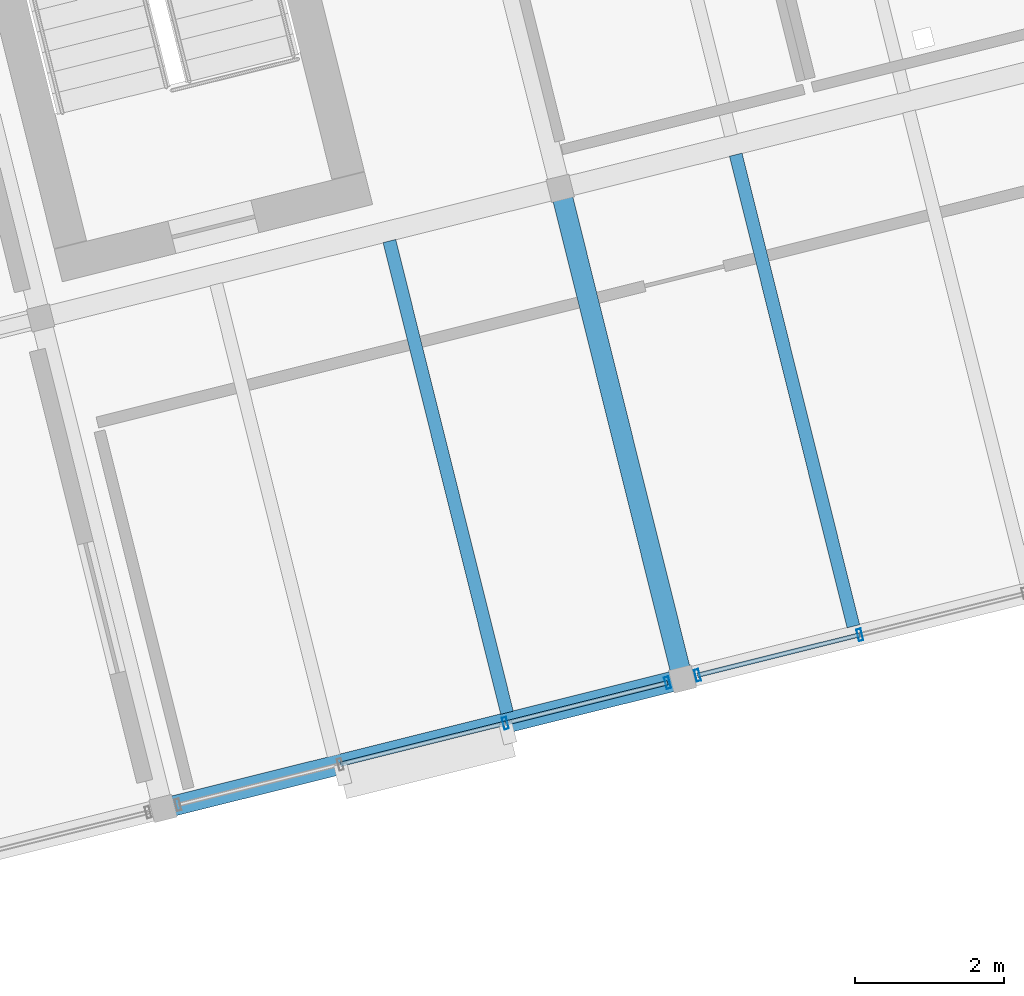
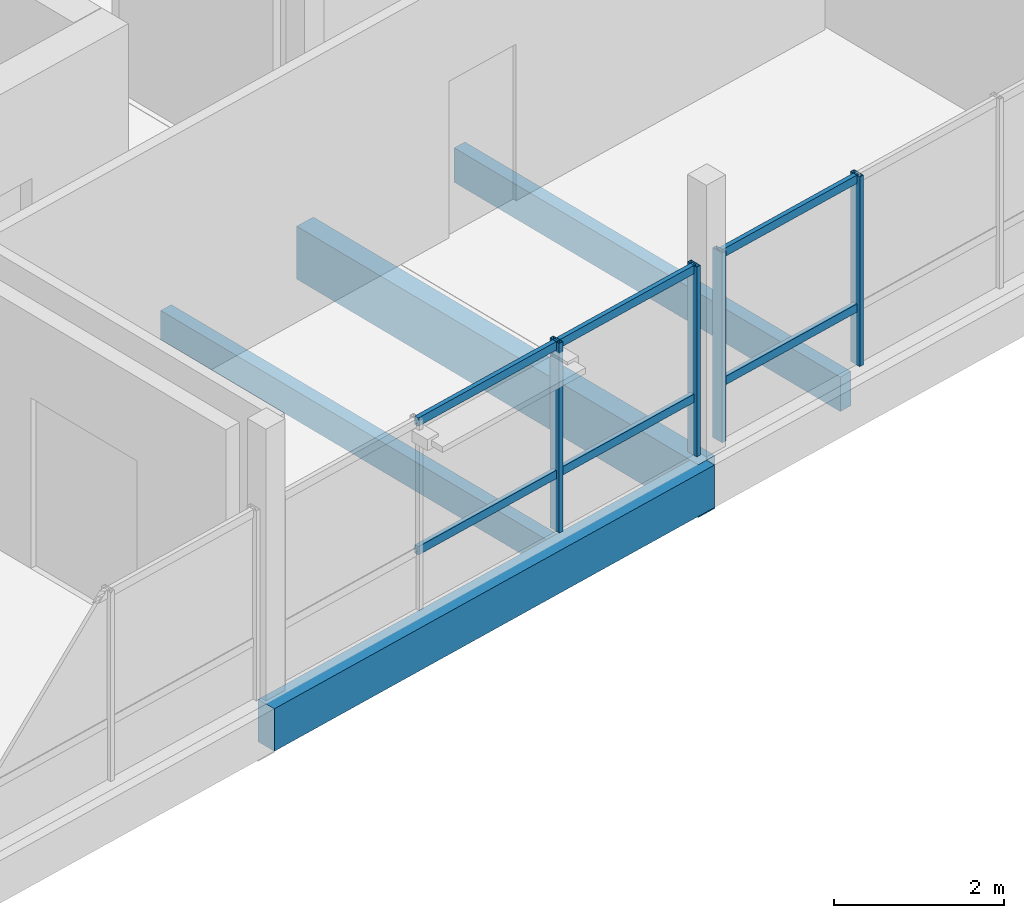
# One storey, part 6 of 24: 10 members, 4 beams, 2 elements without a shape of their own.
"""IFC4 building model written with IfcOpenShell, lengths in metres."""

from ifc_helpers import new_model, si_unit, direction, frame, origin, origin_2d, place, context, subcontext, project, spatial, rectangle, hollow_rectangle, extrude, material, layer, layer_set, material_profile, profile_set, type_object, element, aggregate, save


model = new_model("IFC4")

# Units and contexts
model_context = context("Model", 3, precision=1e-05, world=origin(), true_north=direction((0.0, 1.0)))
body_context = subcontext(model_context, "Body", "Model", "MODEL_VIEW")
ifc_project = project(units=[si_unit("LENGTHUNIT", "METRE"), si_unit("AREAUNIT", "SQUARE_METRE"), si_unit("VOLUMEUNIT", "CUBIC_METRE"), si_unit("PLANEANGLEUNIT", "RADIAN"), si_unit("MASSUNIT", "GRAM", prefix="KILO")], contexts=[model_context])

# Site, building, storey
site_placement = place(None, origin())
site = spatial("IfcSite", under=ifc_project, at=site_placement, CompositionType="ELEMENT")
building_placement = place(site_placement, origin())
building = spatial("IfcBuilding", under=site, at=building_placement, Name="Meriwether Solvik Hall", CompositionType="ELEMENT")
storey_placement = place(building_placement, frame((0.0, 0.0, 57.300048828125)))
storey = spatial("IfcBuildingStorey", under=building, at=storey_placement, Name="L14", CompositionType="ELEMENT", Elevation=57.300048828125)

# Beams
ifc_material_1 = material(Name="Glulam Douglas-Fir 24F-V8 GL28h", Category="wood")
ifc_material_profile_1 = material_profile(ifc_material_1, rectangle(XDim=0.27294921875, YDim=0.610107421875, at=origin_2d()), Name="GLB-273X610")
ifc_profile_set_1 = profile_set([ifc_material_profile_1], Name="Glulam Douglas-Fir 24F-V8 GL28h")
beam_type_1 = type_object("IfcBeamType", Name="BM-GL-273X610", PredefinedType="SPANDREL", material=ifc_profile_set_1)
beam_1_placement = place(storey_placement, frame((75.974365234375, 43.03857421875, -0.505126953125), z_axis=(0.970291911955, 0.241937193493, 0.0), x_axis=(-0.241937193493, 0.970291911955, 0.0)))
element("IfcBeam", 1, at=beam_1_placement, inside=storey, type_object=beam_type_1, Name="Tower Girder TA:T2-T3 (L14)", PredefinedType="SPANDREL", context=body_context, shape_type="SweptSolid", body=[
    extrude(rectangle(XDim=0.27294921875, YDim=0.610107421875, at=origin_2d()), origin(), (0.0, 0.0, 1.0), 7.199951171875),
])
ifc_material_2 = material(Name="Glulam Douglas-Fir 24F-V8 GL28h", Category="wood")
ifc_material_profile_2 = material_profile(ifc_material_2, rectangle(XDim=0.27294921875, YDim=0.760009765625, at=origin_2d()), Name="GLB-273X760")
ifc_profile_set_2 = profile_set([ifc_material_profile_2], Name="Glulam Douglas-Fir 24F-V8 GL28h")
beam_type_2 = type_object("IfcBeamType", Name="BM-GL-273X760", PredefinedType="BEAM", material=ifc_profile_set_2)
beam_2_placement = place(storey_placement, frame((82.96044921875, 44.780517578125, -0.580078125), z_axis=(-0.241918877831, 0.970296478685, 0.0), x_axis=(-0.970296478685, -0.241918877831, 0.0)))
element("IfcBeam", 2, at=beam_2_placement, inside=storey, type_object=beam_type_2, Name="Tower Girder T3:TA-TB (L14)", PredefinedType="BEAM", context=body_context, shape_type="SweptSolid", body=[
    extrude(rectangle(XDim=0.27294921875, YDim=0.760009765625, at=origin_2d()), origin(), (0.0, 0.0, 1.0), 6.7998046875),
])

# Curtain wall, members
ifc_material_3 = material(Name="Thermally Broken Anodised Aluminium 6063-T6 and Low-E Glass", Category="aluminium")
ifc_layer_1 = layer(ifc_material_3, 0.179931640625)
ifc_layer_set_1 = layer_set([ifc_layer_1], Name="Thermally Broken Anodised Aluminium 6063-T6 and Low-E Glass")
curtain_wall_type_1 = type_object("IfcCurtainWallType", Name="CW-UNIT-F", PredefinedType="USERDEFINED", material=ifc_layer_set_1)
curtain_wall_1_placement = place(storey_placement, origin())
curtain_wall_1 = element("IfcCurtainWall", 3, at=curtain_wall_1_placement, inside=storey, type_object=curtain_wall_type_1, Name="Curtain Wall E0_B1 (L14)", ObjectType="UNITISED CURTAIN WALL", PredefinedType="USERDEFINED")
ifc_material_4 = material(Name="Anodised Aluminium 6063-T6", Category="aluminium")
ifc_material_profile_3 = material_profile(ifc_material_4, hollow_rectangle(XDim=0.06005859375, YDim=0.159912109375, WallThickness=0.00390625, at=origin_2d()), Name="CWM-60X160")
ifc_profile_set_3 = profile_set([ifc_material_profile_3], Name="Anodised Aluminium 6063-T6")
member_type_1 = type_object("IfcMemberType", Name="CW-MUL-60X160", PredefinedType="MULLION", material=ifc_profile_set_3)
member_1_placement = place(storey_placement, frame((82.759033203125, 44.730224609375, 0.0), z_axis=(0.0, 0.0, 1.0), x_axis=(-0.970295730764, -0.241921877598, 0.0)))
member_1 = element("IfcMember", 4, at=member_1_placement, type_object=member_type_1, Name="Curtain Wall Mullion 1", PredefinedType="MULLION", context=body_context, shape_type="SweptSolid", body=[
    extrude(hollow_rectangle(XDim=0.06005859375, YDim=0.159912109375, WallThickness=0.00390625, at=origin_2d()), origin(), (0.0, 0.0, 1.0), 2.724853515625),
])
member_2_placement = place(storey_placement, frame((80.576904296875, 44.186279296875, 0.0), z_axis=(0.0, 0.0, 1.0), x_axis=(-0.970295730764, -0.241921877598, 0.0)))
member_2 = element("IfcMember", 5, at=member_2_placement, type_object=member_type_1, Name="Curtain Wall Mullion 2", PredefinedType="MULLION", context=body_context, shape_type="SweptSolid", body=[
    extrude(hollow_rectangle(XDim=0.06005859375, YDim=0.159912109375, WallThickness=0.00390625, at=origin_2d()), origin(), (0.0, 0.0, 1.0), 2.724853515625),
])

ifc_material_5 = material(Name="Thermally Broken Anodised Aluminium 6063-T6 and Low-E Glass", Category="aluminium")
ifc_layer_2 = layer(ifc_material_5, 0.179931640625)
ifc_layer_set_2 = layer_set([ifc_layer_2], Name="Thermally Broken Anodised Aluminium 6063-T6 and Low-E Glass")
curtain_wall_type_2 = type_object("IfcCurtainWallType", Name="CW-UNIT-G", PredefinedType="USERDEFINED", material=ifc_layer_set_2)
curtain_wall_2_placement = place(storey_placement, origin())
curtain_wall_2 = element("IfcCurtainWall", 6, at=curtain_wall_2_placement, inside=storey, type_object=curtain_wall_type_2, Name="Curtain Wall E0_B2 (L14)", ObjectType="UNITISED CURTAIN WALL", PredefinedType="USERDEFINED")
member_3_placement = place(storey_placement, frame((85.343994140625, 45.374755859375, 0.0), z_axis=(0.0, 0.0, 1.0), x_axis=(-0.970295730764, -0.241921877598, 0.0)))
member_3 = element("IfcMember", 7, at=member_3_placement, type_object=member_type_1, Name="Curtain Wall Mullion 3", PredefinedType="MULLION", context=body_context, shape_type="SweptSolid", body=[
    extrude(hollow_rectangle(XDim=0.06005859375, YDim=0.159912109375, WallThickness=0.00390625, at=origin_2d()), origin(), (0.0, 0.0, 1.0), 2.724853515625),
])
member_4_placement = place(storey_placement, frame((83.16162109375, 44.83056640625, 0.0), z_axis=(0.0, 0.0, 1.0), x_axis=(-0.970295730764, -0.241921877598, 0.0)))
member_4 = element("IfcMember", 8, at=member_4_placement, type_object=member_type_1, Name="Curtain Wall Mullion 4", PredefinedType="MULLION", context=body_context, shape_type="SweptSolid", body=[
    extrude(hollow_rectangle(XDim=0.06005859375, YDim=0.159912109375, WallThickness=0.00390625, at=origin_2d()), origin(), (0.0, 0.0, 1.0), 2.724853515625),
])

# Member
ifc_material_6 = material(Name="Anodised Aluminium 6063-T6", Category="aluminium")
ifc_material_profile_4 = material_profile(ifc_material_6, hollow_rectangle(XDim=0.06005859375, YDim=0.1201171875, WallThickness=0.00390625, at=origin_2d()), Name="CWT-60X120")
ifc_profile_set_4 = profile_set([ifc_material_profile_4], Name="Anodised Aluminium 6063-T6")
member_type_2 = type_object("IfcMemberType", Name="CW-TRN-60X120", PredefinedType="USERDEFINED", material=ifc_profile_set_4)
member_5_placement = place(storey_placement, frame((82.759033203125, 44.730224609375, 0.8173828125), z_axis=(-0.970308305597, -0.241871437108, 0.0), x_axis=(0.241871437108, -0.970308305597, 0.0)))
member_5 = element("IfcMember", 9, at=member_5_placement, type_object=member_type_2, Name="Curtain Wall Transom 1-sill", ObjectType="TRANSOM", PredefinedType="USERDEFINED", context=body_context, shape_type="SweptSolid", body=[
    extrude(hollow_rectangle(XDim=0.06005859375, YDim=0.1201171875, WallThickness=0.00390625, at=origin_2d()), origin(), (0.0, 0.0, 1.0), 2.2490234375),
])

member_6_placement = place(storey_placement, frame((82.759033203125, 44.730224609375, 2.6650390625), z_axis=(-0.970308305597, -0.241871437108, 0.0), x_axis=(0.241871437108, -0.970308305597, 0.0)))
member_6 = element("IfcMember", 10, at=member_6_placement, type_object=member_type_2, Name="Curtain Wall Transom 1-head", ObjectType="TRANSOM", PredefinedType="USERDEFINED", context=body_context, shape_type="SweptSolid", body=[
    extrude(hollow_rectangle(XDim=0.06005859375, YDim=0.1201171875, WallThickness=0.00390625, at=origin_2d()), origin(), (0.0, 0.0, 1.0), 2.2490234375),
])

member_7_placement = place(storey_placement, frame((80.576904296875, 44.186279296875, 0.8173828125), z_axis=(-0.970280478888, -0.241983041324, 0.0), x_axis=(0.241983041324, -0.970280478888, 0.0)))
member_7 = element("IfcMember", 11, at=member_7_placement, type_object=member_type_2, Name="Curtain Wall Transom 2-sill", ObjectType="TRANSOM", PredefinedType="USERDEFINED", context=body_context, shape_type="SweptSolid", body=[
    extrude(hollow_rectangle(XDim=0.06005859375, YDim=0.1201171875, WallThickness=0.00390625, at=origin_2d()), origin(), (0.0, 0.0, 1.0), 2.287109375),
])

member_8_placement = place(storey_placement, frame((80.576904296875, 44.186279296875, 2.6650390625), z_axis=(-0.970280478888, -0.241983041324, 0.0), x_axis=(0.241983041324, -0.970280478888, 0.0)))
member_8 = element("IfcMember", 12, at=member_8_placement, type_object=member_type_2, Name="Curtain Wall Transom 2-head", ObjectType="TRANSOM", PredefinedType="USERDEFINED", context=body_context, shape_type="SweptSolid", body=[
    extrude(hollow_rectangle(XDim=0.06005859375, YDim=0.1201171875, WallThickness=0.00390625, at=origin_2d()), origin(), (0.0, 0.0, 1.0), 2.287109375),
])

aggregate(curtain_wall_1, [member_1, member_2, member_5, member_6, member_7, member_8])

member_9_placement = place(storey_placement, frame((85.343994140625, 45.374755859375, 0.8173828125), z_axis=(-0.970289178123, -0.241948157292, 0.0), x_axis=(0.241948157292, -0.970289178123, 0.0)))
member_9 = element("IfcMember", 13, at=member_9_placement, type_object=member_type_2, Name="Curtain Wall Transom 3-sill", ObjectType="TRANSOM", PredefinedType="USERDEFINED", context=body_context, shape_type="SweptSolid", body=[
    extrude(hollow_rectangle(XDim=0.06005859375, YDim=0.1201171875, WallThickness=0.00390625, at=origin_2d()), origin(), (0.0, 0.0, 1.0), 2.249267578125),
])

member_10_placement = place(storey_placement, frame((85.343994140625, 45.374755859375, 2.6650390625), z_axis=(-0.970289178123, -0.241948157292, 0.0), x_axis=(0.241948157292, -0.970289178123, 0.0)))
member_10 = element("IfcMember", 14, at=member_10_placement, type_object=member_type_2, Name="Curtain Wall Transom 3-head", ObjectType="TRANSOM", PredefinedType="USERDEFINED", context=body_context, shape_type="SweptSolid", body=[
    extrude(hollow_rectangle(XDim=0.06005859375, YDim=0.1201171875, WallThickness=0.00390625, at=origin_2d()), origin(), (0.0, 0.0, 1.0), 2.249267578125),
])

aggregate(curtain_wall_2, [member_3, member_4, member_9, member_10])

# Beams
ifc_material_7 = material(Name="Glulam Douglas-Fir 24F-V8 GL28h", Category="wood")
ifc_material_profile_5 = material_profile(ifc_material_7, rectangle(XDim=0.175048828125, YDim=0.419921875, at=origin_2d()), Name="GLJ-175X420")
ifc_profile_set_5 = profile_set([ifc_material_profile_5], Name="Glulam Douglas-Fir 24F-V8 GL28h")
beam_type_3 = type_object("IfcBeamType", Name="JST-GL-175X420", PredefinedType="JOIST", material=ifc_profile_set_5)
beam_3_placement = place(storey_placement, frame((80.599853515625, 44.327392578125, -0.41015625), z_axis=(-0.241938016776, 0.970291706673, 0.0), x_axis=(-0.970291706673, -0.241938016776, 0.0)))
element("IfcBeam", 15, at=beam_3_placement, inside=storey, type_object=beam_type_3, Name="Glulam Floor Joist T2/TA-J2 (L14)", PredefinedType="JOIST", context=body_context, shape_type="SweptSolid", body=[
    extrude(rectangle(XDim=0.175048828125, YDim=0.419921875, at=origin_2d()), origin(), (0.0, 0.0, 1.0), 6.536865234375),
])
ifc_material_8 = material(Name="Glulam Douglas-Fir 24F-V8 GL28h", Category="wood")
ifc_material_profile_6 = material_profile(ifc_material_8, rectangle(XDim=0.175048828125, YDim=0.4951171875, at=origin_2d()), Name="GLJ-175X495")
ifc_profile_set_6 = profile_set([ifc_material_profile_6], Name="Glulam Douglas-Fir 24F-V8 GL28h")
beam_type_4 = type_object("IfcBeamType", Name="JST-GL-175X495", PredefinedType="JOIST", material=ifc_profile_set_6)
beam_4_placement = place(storey_placement, frame((85.25732421875, 45.48876953125, -0.447509765625), z_axis=(-0.241938016776, 0.970291706673, 0.0), x_axis=(-0.970291706673, -0.241938016776, 0.0)))
element("IfcBeam", 16, at=beam_4_placement, inside=storey, type_object=beam_type_4, Name="Glulam Floor Joist T3/TA-J1 (L14)", PredefinedType="JOIST", context=body_context, shape_type="SweptSolid", body=[
    extrude(rectangle(XDim=0.175048828125, YDim=0.4951171875, at=origin_2d()), origin(), (0.0, 0.0, 1.0), 6.536865234375),
])

save(model, "model.ifc")
